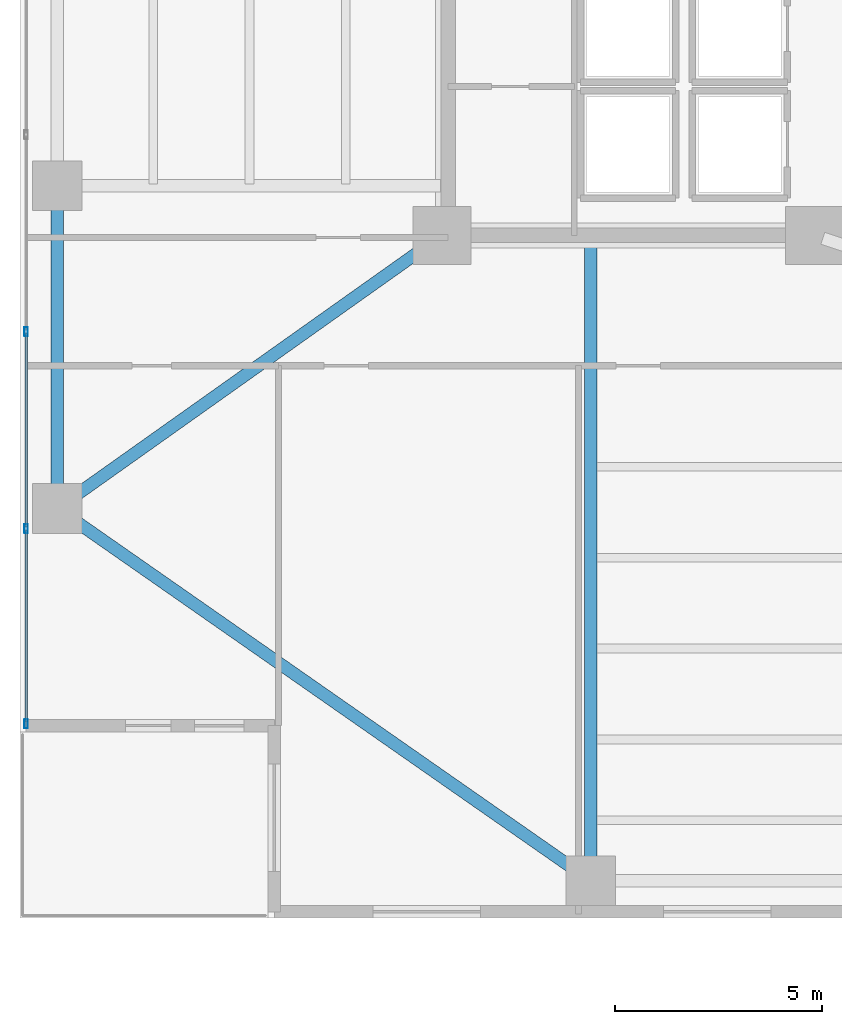
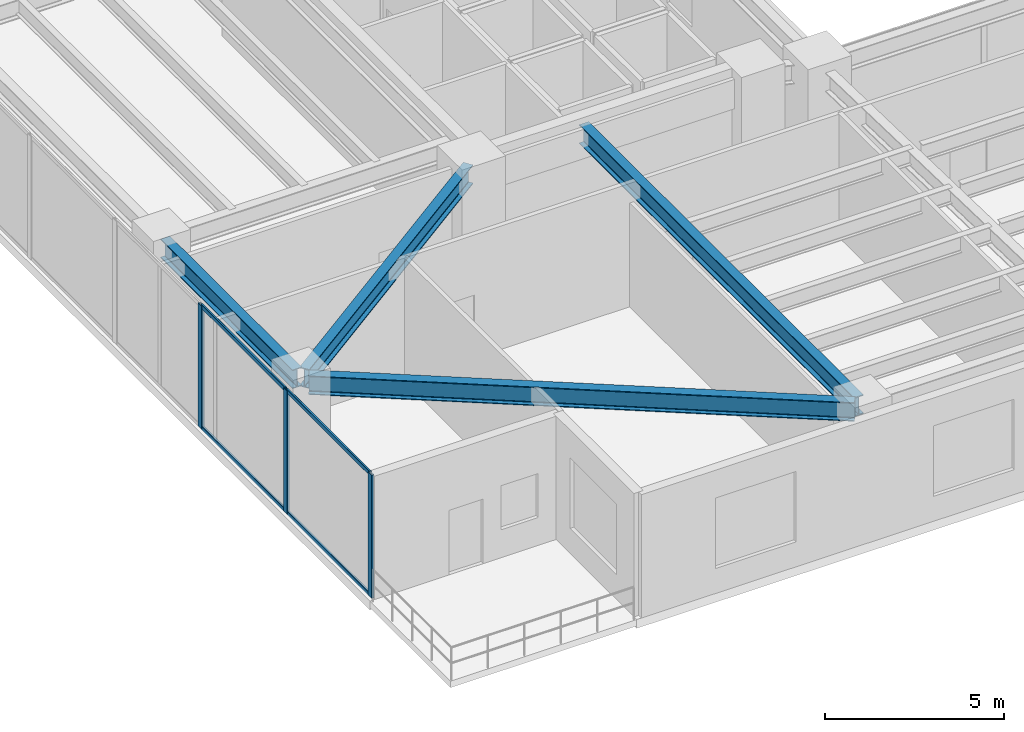
# One storey, part 2 of 39: 7 members, 4 beams, 1 element without a shape of its own.
"""IFC4 building model written with IfcOpenShell, lengths in metres."""

from ifc_helpers import new_model, si_unit, direction, frame, origin, origin_2d, place, context, subcontext, project, spatial, hollow_rectangle, i_section, extrude, material, layer, layer_set, material_profile, profile_set, type_object, element, aggregate, save


model = new_model("IFC4")

# Units and contexts
model_context = context("Model", 3, precision=1e-05, world=origin(), true_north=direction((0.0, 1.0)))
body_context = subcontext(model_context, "Body", "Model", "MODEL_VIEW")
ifc_project = project(units=[si_unit("LENGTHUNIT", "METRE"), si_unit("AREAUNIT", "SQUARE_METRE"), si_unit("VOLUMEUNIT", "CUBIC_METRE"), si_unit("PLANEANGLEUNIT", "RADIAN"), si_unit("MASSUNIT", "GRAM", prefix="KILO")], contexts=[model_context])

# Site, building, storey
site_placement = place(None, origin())
site = spatial("IfcSite", under=ifc_project, at=site_placement, CompositionType="ELEMENT")
building_placement = place(site_placement, origin())
building = spatial("IfcBuilding", under=site, at=building_placement, Name="Tarnavaz Court Tower", CompositionType="ELEMENT")
storey_placement = place(building_placement, frame((0.0, 0.0, 68.699951171875)))
storey = spatial("IfcBuildingStorey", under=building, at=storey_placement, Name="L18", CompositionType="ELEMENT", Elevation=68.699951171875)

# Beams
ifc_material_1 = material(Name="Steel S355", Category="steel")
ifc_material_profile_1 = material_profile(ifc_material_1, i_section(OverallWidth=0.300048828125, OverallDepth=0.64990234375, WebThickness=0.01611328125, FlangeThickness=0.031005859375, FilletRadius=0.027099609375, at=origin_2d()), Name="HEB 650")
ifc_profile_set_1 = profile_set([ifc_material_profile_1], Name="Steel S355")
beam_type_1 = type_object("IfcBeamType", Name="BM-G-HEB650", PredefinedType="USERDEFINED", material=ifc_profile_set_1)
beam_1_placement = place(storey_placement, frame((-15.0, -7.239990234375, 3.875), z_axis=(0.0, -1.0, 0.0), x_axis=(1.0, 0.0, 0.0)))
element("IfcBeam", 1, at=beam_1_placement, inside=storey, type_object=beam_type_1, Name="L18 Beam RG-05", ObjectType="GIRDER", PredefinedType="USERDEFINED", context=body_context, shape_type="SweptSolid", body=[
    extrude(i_section(OverallWidth=0.300048828125, OverallDepth=0.64990234375, WebThickness=0.01611328125, FlangeThickness=0.031005859375, FilletRadius=0.027099609375, at=origin_2d()), origin(), (0.0, 0.0, 1.0), 15.340087890625),
])
beam_2_placement = place(storey_placement, frame((-18.779296875, -7.327392578125, 3.875), z_axis=(-0.815520027245, -0.578728852886, 0.0), x_axis=(0.578728852886, -0.815520027245, 0.0)))
element("IfcBeam", 2, at=beam_2_placement, inside=storey, type_object=beam_type_1, Name="L18 Beam RG-15", ObjectType="GIRDER", PredefinedType="USERDEFINED", context=body_context, shape_type="SweptSolid", body=[
    extrude(i_section(OverallWidth=0.300048828125, OverallDepth=0.64990234375, WebThickness=0.01611328125, FlangeThickness=0.031005859375, FilletRadius=0.027099609375, at=origin_2d()), origin(), (0.0, 0.0, 1.0), 10.964111328125),
])
ifc_material_profile_2 = material_profile(ifc_material_1, i_section(OverallWidth=0.300048828125, OverallDepth=0.639892578125, WebThickness=0.013427734375, FlangeThickness=0.02587890625, FilletRadius=0.027099609375, at=origin_2d()), Name="HEA 650")
ifc_profile_set_2 = profile_set([ifc_material_profile_2], Name="Steel S355")
beam_type_2 = type_object("IfcBeamType", Name="BM-SP-HEA650", PredefinedType="SPANDREL", material=ifc_profile_set_2)
beam_3_placement = place(storey_placement, frame((-27.89990234375, -13.580078125, 3.880126953125), z_axis=(0.0, 1.0, 0.0), x_axis=(-1.0, 0.0, 0.0)))
element("IfcBeam", 3, at=beam_3_placement, inside=storey, type_object=beam_type_2, Name="L18 Beam PR-PW-1-PW-2", PredefinedType="SPANDREL", context=body_context, shape_type="SweptSolid", body=[
    extrude(i_section(OverallWidth=0.300048828125, OverallDepth=0.639892578125, WebThickness=0.013427734375, FlangeThickness=0.02587890625, FilletRadius=0.027099609375, at=origin_2d()), origin(), (0.0, 0.0, 1.0), 7.360107421875),
])
beam_4_placement = place(storey_placement, frame((-15.180419921875, -22.674072265625, 3.880126953125), z_axis=(-0.820123643324, 0.572186341729, 0.0), x_axis=(-0.572186341729, -0.820123643324, 0.0)))
element("IfcBeam", 4, at=beam_4_placement, inside=storey, type_object=beam_type_2, Name="L18 Beam PR-PS-1-PW-1", PredefinedType="SPANDREL", context=body_context, shape_type="SweptSolid", body=[
    extrude(i_section(OverallWidth=0.300048828125, OverallDepth=0.639892578125, WebThickness=0.013427734375, FlangeThickness=0.02587890625, FilletRadius=0.027099609375, at=origin_2d()), origin(), (0.0, 0.0, 1.0), 15.289306640625),
])

# Curtain wall, members
ifc_material_2 = material(Name="Anodised Aluminium 6063-T6 and Solar Low-E Glazing", Category="aluminium")
ifc_layer = layer(ifc_material_2, 0.199951171875)
ifc_layer_set = layer_set([ifc_layer], Name="Anodised Aluminium 6063-T6 and Solar Low-E Glazing")
curtain_wall_type = type_object("IfcCurtainWallType", Name="CW-SYS-05", PredefinedType="NOTDEFINED", material=ifc_layer_set)
curtain_wall_placement = place(storey_placement, origin())
curtain_wall = element("IfcCurtainWall", 5, at=curtain_wall_placement, inside=storey, type_object=curtain_wall_type, Name="L18 Sky-Portal Curtain Wall 2", PredefinedType="NOTDEFINED")
ifc_material_3 = material(Name="Anodised Aluminium 6063-T6", Category="aluminium")
ifc_material_profile_3 = material_profile(ifc_material_3, hollow_rectangle(XDim=0.0849609375, YDim=0.219970703125, WallThickness=0.006103515625, InnerFilletRadius=0.006103515625, OuterFilletRadius=0.011962890625, at=origin_2d()), Name="ALU RHS 220X85X6")
ifc_profile_set_3 = profile_set([ifc_material_profile_3], Name="Anodised Aluminium 6063-T6")
member_type_1 = type_object("IfcMemberType", Name="CW-MUL-220", PredefinedType="MULLION", material=ifc_profile_set_3)
member_1_placement = place(storey_placement, frame((-28.64990234375, -19.007568359375, 0.0), z_axis=(0.0, 0.0, 1.0), x_axis=(-1.0, 0.0, 0.0)))
member_1 = element("IfcMember", 6, at=member_1_placement, type_object=member_type_1, Name="CW mullion 1", PredefinedType="MULLION", context=body_context, shape_type="SweptSolid", body=[
    extrude(hollow_rectangle(XDim=0.0849609375, YDim=0.219970703125, WallThickness=0.006103515625, InnerFilletRadius=0.006103515625, OuterFilletRadius=0.011962890625, at=origin_2d()), origin(), (0.0, 0.0, 1.0), 4.199951171875),
])
member_2_placement = place(storey_placement, frame((-28.64990234375, -14.28759765625, 0.0), z_axis=(0.0, 0.0, 1.0), x_axis=(-1.0, 0.0, 0.0)))
member_2 = element("IfcMember", 7, at=member_2_placement, type_object=member_type_1, Name="CW mullion 2", PredefinedType="MULLION", context=body_context, shape_type="SweptSolid", body=[
    extrude(hollow_rectangle(XDim=0.0849609375, YDim=0.219970703125, WallThickness=0.006103515625, InnerFilletRadius=0.006103515625, OuterFilletRadius=0.011962890625, at=origin_2d()), origin(), (0.0, 0.0, 1.0), 4.199951171875),
])
member_3_placement = place(storey_placement, frame((-28.64990234375, -9.52490234375, 0.0), z_axis=(0.0, 0.0, 1.0), x_axis=(-1.0, 0.0, 0.0)))
member_3 = element("IfcMember", 8, at=member_3_placement, type_object=member_type_1, Name="CW mullion 3", PredefinedType="MULLION", context=body_context, shape_type="SweptSolid", body=[
    extrude(hollow_rectangle(XDim=0.0849609375, YDim=0.219970703125, WallThickness=0.006103515625, InnerFilletRadius=0.006103515625, OuterFilletRadius=0.011962890625, at=origin_2d()), origin(), (0.0, 0.0, 1.0), 4.199951171875),
])
ifc_material_profile_4 = material_profile(ifc_material_3, hollow_rectangle(XDim=0.06494140625, YDim=0.139892578125, WallThickness=0.00390625, InnerFilletRadius=0.00390625, OuterFilletRadius=0.008056640625, at=origin_2d()), Name="ALU RHS 140X65X4")
ifc_profile_set_4 = profile_set([ifc_material_profile_4], Name="Anodised Aluminium 6063-T6")
member_type_2 = type_object("IfcMemberType", Name="CW-TRN-140", PredefinedType="USERDEFINED", material=ifc_profile_set_4)
member_4_placement = place(storey_placement, frame((-28.64990234375, -18.965087890625, 0.032470703125), z_axis=(0.0, 1.0, 0.0), x_axis=(-1.0, 0.0, 0.0)))
member_4 = element("IfcMember", 9, at=member_4_placement, type_object=member_type_2, Name="CW transom 1.1", ObjectType="TRANSOM", PredefinedType="USERDEFINED", context=body_context, shape_type="SweptSolid", body=[
    extrude(hollow_rectangle(XDim=0.06494140625, YDim=0.139892578125, WallThickness=0.00390625, InnerFilletRadius=0.00390625, OuterFilletRadius=0.008056640625, at=origin_2d()), origin(), (0.0, 0.0, 1.0), 4.635009765625),
])
member_5_placement = place(storey_placement, frame((-28.64990234375, -18.965087890625, 4.16748046875), z_axis=(0.0, 1.0, 0.0), x_axis=(-1.0, 0.0, 0.0)))
member_5 = element("IfcMember", 10, at=member_5_placement, type_object=member_type_2, Name="CW transom 1.2", ObjectType="TRANSOM", PredefinedType="USERDEFINED", context=body_context, shape_type="SweptSolid", body=[
    extrude(hollow_rectangle(XDim=0.06494140625, YDim=0.139892578125, WallThickness=0.00390625, InnerFilletRadius=0.00390625, OuterFilletRadius=0.008056640625, at=origin_2d()), origin(), (0.0, 0.0, 1.0), 4.635009765625),
])
member_6_placement = place(storey_placement, frame((-28.64990234375, -14.2451171875, 0.032470703125), z_axis=(0.0, 1.0, 0.0), x_axis=(-1.0, 0.0, 0.0)))
member_6 = element("IfcMember", 11, at=member_6_placement, type_object=member_type_2, Name="CW transom 2.1", ObjectType="TRANSOM", PredefinedType="USERDEFINED", context=body_context, shape_type="SweptSolid", body=[
    extrude(hollow_rectangle(XDim=0.06494140625, YDim=0.139892578125, WallThickness=0.00390625, InnerFilletRadius=0.00390625, OuterFilletRadius=0.008056640625, at=origin_2d()), origin(), (0.0, 0.0, 1.0), 4.677734375),
])
member_7_placement = place(storey_placement, frame((-28.64990234375, -14.2451171875, 4.16748046875), z_axis=(0.0, 1.0, 0.0), x_axis=(-1.0, 0.0, 0.0)))
member_7 = element("IfcMember", 12, at=member_7_placement, type_object=member_type_2, Name="CW transom 2.2", ObjectType="TRANSOM", PredefinedType="USERDEFINED", context=body_context, shape_type="SweptSolid", body=[
    extrude(hollow_rectangle(XDim=0.06494140625, YDim=0.139892578125, WallThickness=0.00390625, InnerFilletRadius=0.00390625, OuterFilletRadius=0.008056640625, at=origin_2d()), origin(), (0.0, 0.0, 1.0), 4.677734375),
])
aggregate(curtain_wall, [member_1, member_2, member_3, member_4, member_5, member_6, member_7])

save(model, "model.ifc")
